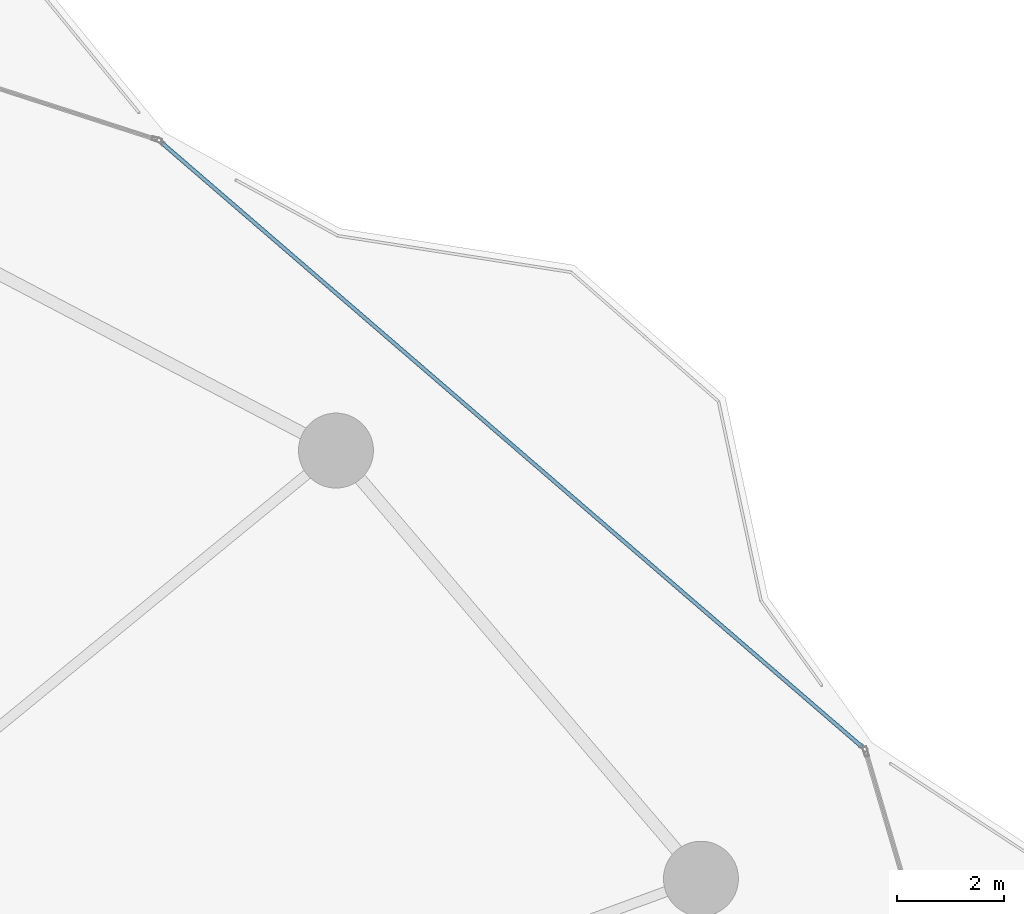
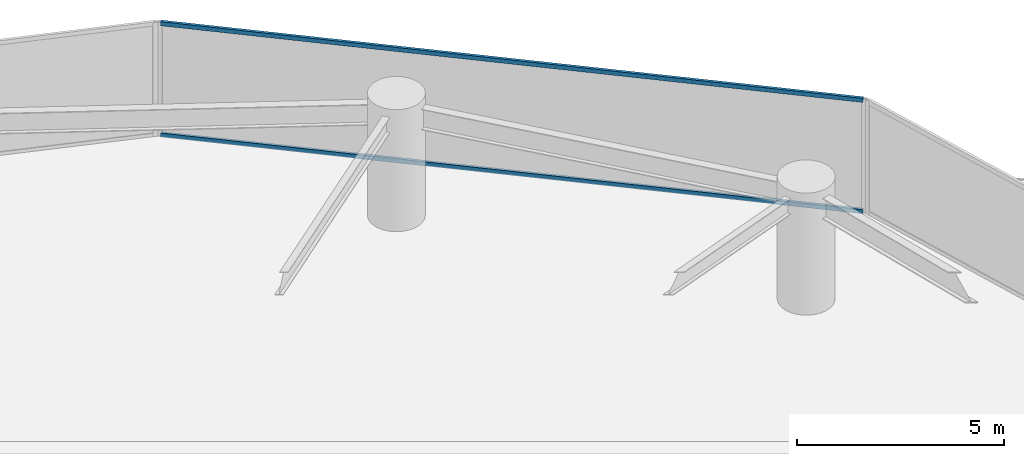
# One storey, part 20 of 34: 2 members, 1 element without a shape of its own.
"""IFC4 building model written with IfcOpenShell, lengths in metres."""

import ifcopenshell
import ifcopenshell.guid

model = None  # the IFC model being written
_history = None  # IfcOwnerHistory: only IFC2X3 demands one
_inside = {}  # id of a spatial element -> (the spatial element, [elements in it])
_under = {}  # id of a project, library or spatial element -> (it, [spatial elements below it])
_declared = {}  # id of a project -> (the project, [libraries it declares])
_typed = {}  # id of a type object -> (the type object, [elements of that type])
_made_of = {}  # id of a material, layer set ... -> (it, [elements and type objects made of it])


def new_model(schema):
    """Start an empty IFC model of exactly this schema.

    Asked for "IFC4X3", IfcOpenShell would pick the latest addendum, in which some entities
    have other attributes; the version numbers below select the first issue.
    IFC2X3 requires an IfcOwnerHistory on every rooted entity: one is made here for all.
    """
    global model, _history
    if schema == "IFC4X3":
        model = ifcopenshell.file(schema_version=(4, 3, 0, 0))
    else:
        model = ifcopenshell.file(schema=schema)
    _inside.clear()
    _under.clear()
    _declared.clear()
    _typed.clear()
    _made_of.clear()
    _history = None
    if model.schema == "IFC2X3":
        org = make("IfcOrganization", Name="unknown")
        user = make(
            "IfcPersonAndOrganization",
            ThePerson=make("IfcPerson", FamilyName="unknown"),
            TheOrganization=org,
        )
        app = make(
            "IfcApplication",
            ApplicationDeveloper=org,
            Version="unknown",
            ApplicationFullName="unknown",
            ApplicationIdentifier="unknown",
        )
        _history = make(
            "IfcOwnerHistory",
            OwningUser=user,
            OwningApplication=app,
            ChangeAction="ADDED",
            CreationDate=0,
        )
    return model


def make(cls, **values):
    """One entity of the class cls with the attributes given. An attribute that is None is left unset."""
    return model.create_entity(
        cls, **{name: value for name, value in values.items() if value is not None}
    )


def rooted(cls, **values):
    """An entity with a GlobalId (a new one), such as an element, a storey or a relation."""
    return make(cls, GlobalId=ifcopenshell.guid.new(), OwnerHistory=_history, **values)


def si_unit(unit_type, name, prefix=None):
    """IfcSIUnit, for example si_unit("LENGTHUNIT", "METRE", prefix="MILLI")."""
    return make("IfcSIUnit", UnitType=unit_type, Prefix=prefix, Name=name)


def assignment(units):
    """IfcUnitAssignment: the units of a project."""
    return None if units is None else make("IfcUnitAssignment", Units=units)


def point(xyz):
    """IfcCartesianPoint."""
    return None if xyz is None else make("IfcCartesianPoint", Coordinates=xyz)


def direction(xyz):
    """IfcDirection."""
    return None if xyz is None else make("IfcDirection", DirectionRatios=xyz)


def frame(location, z_axis=None, x_axis=None):
    """IfcAxis2Placement3D, a coordinate frame: its origin and axes. An axis left out is left unset."""
    return make(
        "IfcAxis2Placement3D",
        Location=point(location),
        Axis=direction(z_axis),
        RefDirection=direction(x_axis),
    )


def frame_2d(location, x_axis=None):
    """IfcAxis2Placement2D, a coordinate frame in the plane: its origin and x axis."""
    return make(
        "IfcAxis2Placement2D", Location=point(location), RefDirection=direction(x_axis)
    )


def origin():
    """The frame at (0, 0, 0) with its axes left unset."""
    return frame((0.0, 0.0, 0.0))


def origin_2d():
    """The frame at (0, 0) in the plane with its x axis left unset."""
    return frame_2d((0.0, 0.0))


def place(relative_to, where):
    """IfcLocalPlacement: puts the frame where relative to a parent placement (None: the world)."""
    return make(
        "IfcLocalPlacement", PlacementRelTo=relative_to, RelativePlacement=where
    )


def context(
    kind, dimensions, precision=None, world=None, true_north=None, identifier=None
):
    """IfcGeometricRepresentationContext, for example the 3D "Model" context."""
    return make(
        "IfcGeometricRepresentationContext",
        ContextIdentifier=identifier,
        ContextType=kind,
        CoordinateSpaceDimension=dimensions,
        Precision=precision,
        WorldCoordinateSystem=world,
        TrueNorth=true_north,
    )


def subcontext(parent, identifier, kind, view, scale=None):
    """IfcGeometricRepresentationSubContext, for example "Body" below "Model"."""
    return make(
        "IfcGeometricRepresentationSubContext",
        ContextIdentifier=identifier,
        ContextType=kind,
        ParentContext=parent,
        TargetScale=scale,
        TargetView=view,
    )


def project(units=None, contexts=None):
    """IfcProject with its units and contexts."""
    return rooted(
        "IfcProject",
        Name="project",
        RepresentationContexts=contexts,
        UnitsInContext=assignment(units),
    )


def spatial(cls, under=None, at=None, **own):
    """A site, building, storey or space (cls), placed at a placement, below another one or the project."""
    s = rooted(cls, ObjectPlacement=at, **own)
    if under is not None:
        _under.setdefault(under.id(), (under, []))[1].append(s)
    return s


def profile(cls, at=None, kind="AREA", **sizes):
    """A parametric profile (cls). Its sizes go by their IFC names, for example OverallWidth=200.0."""
    return make(cls, ProfileType=kind, Position=at, **sizes)


def hollow_rectangle(**sizes):
    """IfcRectangleHollowProfileDef."""
    return profile("IfcRectangleHollowProfileDef", **sizes)


def extrude(swept, where, along, depth):
    """IfcExtrudedAreaSolid: the profile swept, set in the frame where, extruded along a direction by depth."""
    return make(
        "IfcExtrudedAreaSolid",
        SweptArea=swept,
        Position=where,
        ExtrudedDirection=direction(along),
        Depth=depth,
    )


def shape(context_of_items, identifier, shape_type, items):
    """IfcShapeRepresentation: the items that make up one representation, for example the "Body"."""
    return make(
        "IfcShapeRepresentation",
        ContextOfItems=context_of_items,
        RepresentationIdentifier=identifier,
        RepresentationType=shape_type,
        Items=items,
    )


def material(Name=None, Category=None):
    """IfcMaterial."""
    return make("IfcMaterial", Name=Name, Category=Category)


def layer(
    of_material, thickness, ventilated=None, Name=None, Category=None, Priority=None
):
    """IfcMaterialLayer: one layer of a wall or slab, of a material (None: an air gap)."""
    return make(
        "IfcMaterialLayer",
        Material=of_material,
        LayerThickness=thickness,
        IsVentilated=ventilated,
        Name=Name,
        Category=Category,
        Priority=Priority,
    )


def layer_set(layers, Name=None):
    """IfcMaterialLayerSet."""
    return make("IfcMaterialLayerSet", MaterialLayers=layers, LayerSetName=Name)


def material_profile(
    of_material, cross_section, Name=None, Category=None, Priority=None
):
    """IfcMaterialProfile: a cross section and its material."""
    return make(
        "IfcMaterialProfile",
        Name=Name,
        Material=of_material,
        Profile=cross_section,
        Priority=Priority,
        Category=Category,
    )


def profile_set(profiles, Name=None, composite=None):
    """IfcMaterialProfileSet."""
    return make(
        "IfcMaterialProfileSet",
        Name=Name,
        MaterialProfiles=profiles,
        CompositeProfile=composite,
    )


def made_of(thing, what):
    """Note that an element or type object is made of a material, layer set ...; save() writes the relation."""
    if what is not None:
        _made_of.setdefault(what.id(), (what, []))[1].append(thing)
    return thing


def type_object(cls, material=None, **own):
    """A type object (cls), such as IfcWallType, which elements share."""
    return made_of(rooted(cls, **own), material)


def element(
    cls,
    number,
    at=None,
    inside=None,
    cuts=None,
    type_object=None,
    material=None,
    context=None,
    identifier="Body",
    shape_type=None,
    held_by="IfcProductDefinitionShape",
    body=None,
    shapes=None,
    **own,
):
    """One element of the class cls, such as IfcWall. Its Tag is "e" and its number.

    at: its placement. inside: the storey or other place that contains it. cuts: it is an
    opening in that element (IfcRelVoidsElement). A single representation is given by context,
    identifier, shape_type and body (its items); several are given by shapes. held_by: the class
    of the entity that holds the representations. save() writes the other relations.
    """
    e = rooted(cls, Tag="e%d" % number, ObjectPlacement=at, **own)
    if body is not None:
        shapes = [shape(context, identifier, shape_type, body)]
    if shapes is not None:
        e.Representation = make(held_by, Representations=shapes)
    if inside is not None:
        _inside.setdefault(inside.id(), (inside, []))[1].append(e)
    if cuts is not None:
        rooted(
            "IfcRelVoidsElement", RelatingBuildingElement=cuts, RelatedOpeningElement=e
        )
    if type_object is not None:
        _typed.setdefault(type_object.id(), (type_object, []))[1].append(e)
    return made_of(e, material)


def aggregate(whole, parts):
    """IfcRelAggregates: a whole, such as a stair, and the parts it consists of."""
    return rooted("IfcRelAggregates", RelatingObject=whole, RelatedObjects=parts)


def save(model, path):
    """Write the relations noted so far, then the file.

    IfcRelAggregates (storeys below a building ...), IfcRelContainedInSpatialStructure (elements
    in a storey), IfcRelDefinesByType, IfcRelAssociatesMaterial and IfcRelDeclares: one each for
    every whole, place, type object, material and project.
    """
    for whole, parts in _under.values():
        aggregate(whole, parts)
    for where, things in _inside.values():
        rooted(
            "IfcRelContainedInSpatialStructure",
            RelatedElements=things,
            RelatingStructure=where,
        )
    for kind, things in _typed.values():
        rooted("IfcRelDefinesByType", RelatedObjects=things, RelatingType=kind)
    for what, things in _made_of.values():
        rooted("IfcRelAssociatesMaterial", RelatedObjects=things, RelatingMaterial=what)
    for by, libraries in _declared.values():
        rooted("IfcRelDeclares", RelatingContext=by, RelatedDefinitions=libraries)
    model.write(path)


model = new_model("IFC4")

# Units and contexts
model_context = context("Model", 3, precision=1e-05, world=origin(), true_north=direction((0.0, 1.0)))
body_context = subcontext(model_context, "Body", "Model", "MODEL_VIEW")
ifc_project = project(units=[si_unit("LENGTHUNIT", "METRE"), si_unit("AREAUNIT", "SQUARE_METRE"), si_unit("VOLUMEUNIT", "CUBIC_METRE"), si_unit("PLANEANGLEUNIT", "RADIAN"), si_unit("MASSUNIT", "GRAM", prefix="KILO")], contexts=[model_context])

# Site, building, storey
site_placement = place(None, origin())
site = spatial("IfcSite", under=ifc_project, at=site_placement, CompositionType="ELEMENT")
building_placement = place(site_placement, origin())
building = spatial("IfcBuilding", under=site, at=building_placement, Name="Kazevale Care Tower and Concert Hall", CompositionType="ELEMENT")
storey_placement = place(building_placement, frame((0.0, 0.0, 67.199951171875)))
storey = spatial("IfcBuildingStorey", under=building, at=storey_placement, Name="L17", CompositionType="ELEMENT", Elevation=67.199951171875)

# Curtain wall, members
ifc_material_1 = material(Name="Aluminium 6063-T6 and Low-E Glass", Category="aluminium")
ifc_layer = layer(ifc_material_1, 0.179931640625)
ifc_layer_set = layer_set([ifc_layer], Name="Aluminium 6063-T6 and Low-E Glass")
curtain_wall_type = type_object("IfcCurtainWallType", Name="Convex Recessed Sunroom Curtain Wall CW-3", PredefinedType="NOTDEFINED", material=ifc_layer_set)
curtain_wall_placement = place(storey_placement, origin())
curtain_wall = element("IfcCurtainWall", 1, at=curtain_wall_placement, inside=storey, type_object=curtain_wall_type, Name="cw:L17:f17", PredefinedType="NOTDEFINED")
ifc_material_2 = material(Name="Aluminium 6063-T6", Category="aluminium")
ifc_material_profile = material_profile(ifc_material_2, hollow_rectangle(XDim=0.074951171875, YDim=0.1201171875, WallThickness=0.00390625, at=origin_2d()), Name="ALU75x120x4")
ifc_profile_set = profile_set([ifc_material_profile], Name="Aluminium 6063-T6")
member_type = type_object("IfcMemberType", Name="CW-3 Transom ALU75x120x4", PredefinedType="USERDEFINED", material=ifc_profile_set)
member_1_placement = place(storey_placement, frame((63.98681640625, 61.178955078125, 0.03759765625), z_axis=(0.757205368894, -0.653176874451, 0.0), x_axis=(0.653176874451, 0.757205368894, 0.0)))
member_1 = element("IfcMember", 2, at=member_1_placement, type_object=member_type, Name="CW-3 transom 1.1", ObjectType="TRANSOM", PredefinedType="USERDEFINED", context=body_context, shape_type="SweptSolid", body=[
    extrude(hollow_rectangle(XDim=0.074951171875, YDim=0.1201171875, WallThickness=0.00390625, at=origin_2d()), origin(), (0.0, 0.0, 1.0), 17.280029296875),
])
member_2_placement = place(storey_placement, frame((63.98681640625, 61.178955078125, 3.322509765625), z_axis=(0.757205368894, -0.653176874451, 0.0), x_axis=(0.653176874451, 0.757205368894, 0.0)))
member_2 = element("IfcMember", 3, at=member_2_placement, type_object=member_type, Name="CW-3 transom 1.2", ObjectType="TRANSOM", PredefinedType="USERDEFINED", context=body_context, shape_type="SweptSolid", body=[
    extrude(hollow_rectangle(XDim=0.074951171875, YDim=0.1201171875, WallThickness=0.00390625, at=origin_2d()), origin(), (0.0, 0.0, 1.0), 17.280029296875),
])
aggregate(curtain_wall, [member_1, member_2])

save(model, "model.ifc")
